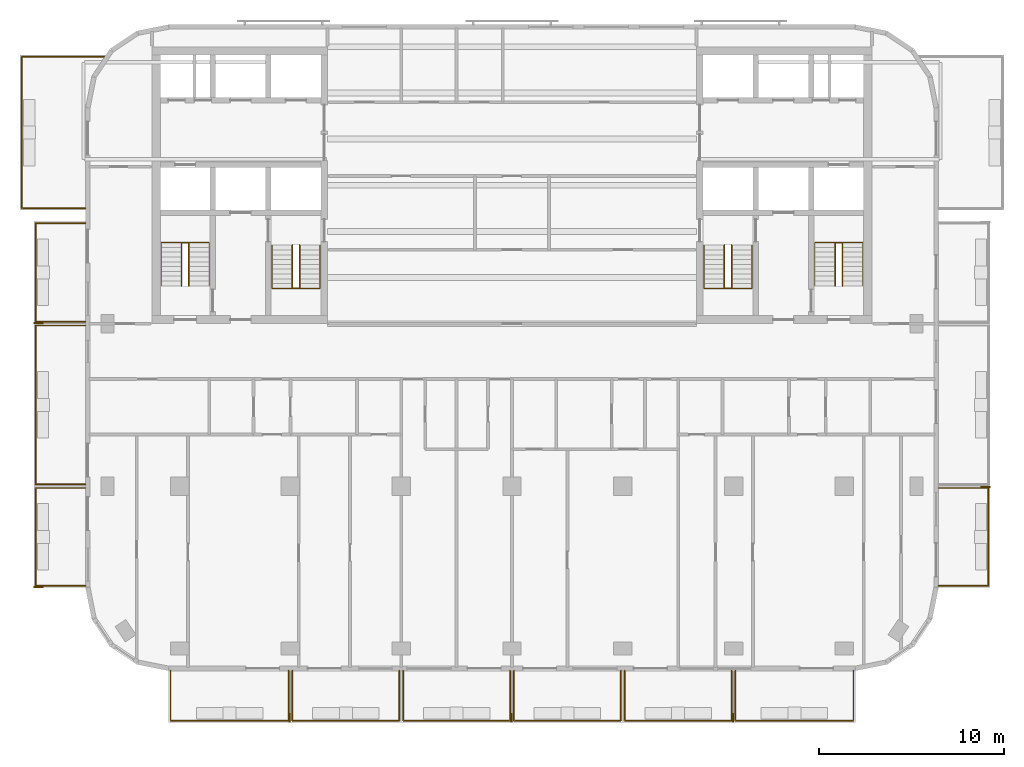
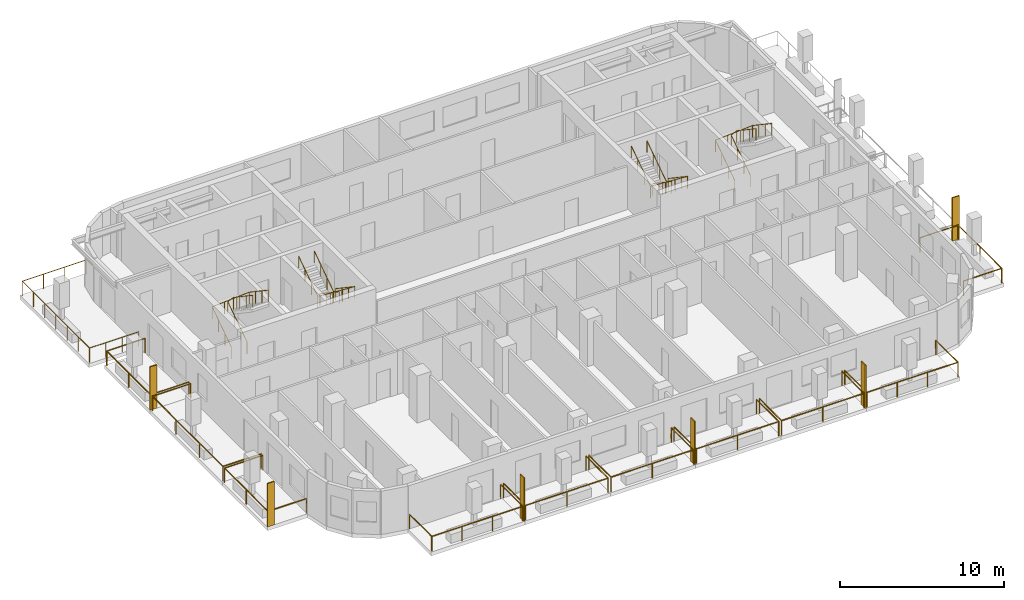
# One storey, part 9 of 11: 19 railings, 6 shading devices.
"""IFC4 building model written with IfcOpenShell, lengths in metres."""

from ifc_helpers import new_model, si_unit, direction, frame, origin, origin_2d, place, context, subcontext, project, spatial, rectangle, circle, extrude, material, layer, layer_set, type_object, element, save


model = new_model("IFC4")

# Units and contexts
model_context = context("Model", 3, precision=1e-05, world=origin(), true_north=direction((0.0, 1.0)))
body_context = subcontext(model_context, "Body", "Model", "MODEL_VIEW")
ifc_project = project(units=[si_unit("LENGTHUNIT", "METRE"), si_unit("AREAUNIT", "SQUARE_METRE"), si_unit("VOLUMEUNIT", "CUBIC_METRE"), si_unit("PLANEANGLEUNIT", "RADIAN"), si_unit("MASSUNIT", "GRAM", prefix="KILO")], contexts=[model_context])

# Site, building, storey
site_placement = place(None, origin())
site = spatial("IfcSite", under=ifc_project, at=site_placement, CompositionType="ELEMENT")
building_placement = place(site_placement, origin())
building = spatial("IfcBuilding", under=site, at=building_placement, Name="Torana Hotel and Residences", CompositionType="ELEMENT")
storey_placement = place(building_placement, frame((0.0, 0.0, 294.60009765625)))
storey = spatial("IfcBuildingStorey", under=building, at=storey_placement, Name="L78", CompositionType="ELEMENT", Elevation=294.60009765625)

# Shading devices
ifc_material_1 = material(Name="Black powder coated aluminium", Category="aluminium")
ifc_layer = layer(ifc_material_1, 0.080078125)
ifc_layer_set = layer_set([ifc_layer], Name="FN1 VERTICAL FIN 500x80")
shading_device_type = type_object("IfcShadingDeviceType", Name="FN1 VERTICAL FIN 500x80", PredefinedType="USERDEFINED", material=ifc_layer_set)
for number, where, z_axis, x_axis, name in (
    (1, (-12.0400390625, -36.35009765625, 0.0), (0.0, 0.0, 1.0), (-1.0, 0.0, 0.0), "Fin 01"),
    (2, (-0.0400390625, -36.35009765625, 0.0), (0.0, 0.0, 1.0), (-1.0, 0.0, 0.0), "Fin 03"),
    (3, (11.9599609375, -36.35009765625, 0.0), (0.0, 0.0, 1.0), (-1.0, 0.0, 0.0), "Fin 05"),
    (4, (-25.64990234375, -29.260009765625, 0.0), (0.0, 0.0, 1.0), (0.0, 1.0, 0.0), "Fin 07"),
    (5, (-25.64990234375, -14.9599609375, 0.0), (0.0, 0.0, 1.0), (0.0, 1.0, 0.0), "Fin 09"),
    (6, (25.64990234375, -23.840087890625, 0.0), (0.0, 0.0, 1.0), (0.0, -1.0, 0.0), "Fin 11"),
):
    element("IfcShadingDevice", number, at=place(storey_placement, frame(where, z_axis=z_axis, x_axis=x_axis)), inside=storey, type_object=shading_device_type, Name=name, ObjectType="FIN", PredefinedType="USERDEFINED", context=body_context, shape_type="SweptSolid", body=[
        extrude(rectangle(XDim=0.080078125, YDim=0.5, at=origin_2d()), origin(), (0.0, 0.0, 1.0), 3.219970703125),
    ])

# Railings
ifc_material_2 = material(Name="Laminated glass balustrade with black handrail", Category="glass")
railing_type_1 = type_object("IfcRailingType", Name="GR1 BALCONY GUARD 1100 GLASS", PredefinedType="GUARDRAIL", material=ifc_material_2)
railing_1_placement = place(storey_placement, frame((-12.10009765625, -33.800048828125, 0.0)))
element("IfcRailing", 7, at=railing_1_placement, inside=storey, type_object=railing_type_1, Name="Balcony guard 01", PredefinedType="GUARDRAIL", context=body_context, shape_type="SweptSolid", body=[
    extrude(circle(Radius=0.02392578125, at=origin_2d()), frame((0.0, 0.0, 1.076171875), z_axis=(0.0, -1.0, 0.0), x_axis=(1.0, 0.0, 0.0)), (0.0, 0.0, 1.0), 2.699951171875),
    extrude(circle(Radius=0.02392578125, at=origin_2d()), frame((0.0, -2.699951171875, 1.076171875), z_axis=(-1.0, 0.0, 0.0), x_axis=(0.0, -1.0, 0.0)), (0.0, 0.0, 1.0), 6.39990234375),
    extrude(circle(Radius=0.02392578125, at=origin_2d()), frame((-6.39990234375, -2.699951171875, 1.076171875), z_axis=(0.0, 1.0, 0.0), x_axis=(-1.0, 0.0, 0.0)), (0.0, 0.0, 1.0), 2.699951171875),
    extrude(circle(Radius=0.02099609375, at=origin_2d()), origin(), (0.0, 0.0, 1.0), 1.052001953125),
    extrude(circle(Radius=0.02099609375, at=origin_2d()), frame((0.0, -2.699951171875, 0.0)), (0.0, 0.0, 1.0), 1.052001953125),
    extrude(circle(Radius=0.02099609375, at=origin_2d()), frame((-2.13330078125, -2.699951171875, 0.0)), (0.0, 0.0, 1.0), 1.052001953125),
    extrude(circle(Radius=0.02099609375, at=origin_2d()), frame((-4.2666015625, -2.699951171875, 0.0)), (0.0, 0.0, 1.0), 1.052001953125),
    extrude(circle(Radius=0.02099609375, at=origin_2d()), frame((-6.39990234375, -2.699951171875, 0.0)), (0.0, 0.0, 1.0), 1.052001953125),
    extrude(circle(Radius=0.02099609375, at=origin_2d()), frame((-6.39990234375, 0.0, 0.0)), (0.0, 0.0, 1.0), 1.052001953125),
])
for number, where, name in (
    (8, (-6.10009765625, -33.800048828125, 0.0), "Balcony guard 02"),
    (9, (-0.10009765625, -33.800048828125, 0.0), "Balcony guard 03"),
    (10, (5.89990234375, -33.800048828125, 0.0), "Balcony guard 04"),
    (11, (11.89990234375, -33.800048828125, 0.0), "Balcony guard 05"),
):
    element("IfcRailing", number, at=place(storey_placement, frame(where)), inside=storey, type_object=railing_type_1, Name=name, PredefinedType="GUARDRAIL", context=body_context, shape_type="SweptSolid", body=[
        extrude(circle(Radius=0.02392578125, at=origin_2d()), frame((0.0, 0.0, 1.076171875), z_axis=(0.0, -1.0, 0.0), x_axis=(1.0, 0.0, 0.0)), (0.0, 0.0, 1.0), 2.699951171875),
        extrude(circle(Radius=0.02392578125, at=origin_2d()), frame((0.0, -2.699951171875, 1.076171875), z_axis=(-1.0, 0.0, 0.0), x_axis=(0.0, -1.0, 0.0)), (0.0, 0.0, 1.0), 5.7998046875),
        extrude(circle(Radius=0.02392578125, at=origin_2d()), frame((-5.7998046875, -2.699951171875, 1.076171875), z_axis=(0.0, 1.0, 0.0), x_axis=(-1.0, 0.0, 0.0)), (0.0, 0.0, 1.0), 2.699951171875),
        extrude(circle(Radius=0.02099609375, at=origin_2d()), origin(), (0.0, 0.0, 1.0), 1.052001953125),
        extrude(circle(Radius=0.02099609375, at=origin_2d()), frame((0.0, -2.699951171875, 0.0)), (0.0, 0.0, 1.0), 1.052001953125),
        extrude(circle(Radius=0.02099609375, at=origin_2d()), frame((-2.89990234375, -2.699951171875, 0.0)), (0.0, 0.0, 1.0), 1.052001953125),
        extrude(circle(Radius=0.02099609375, at=origin_2d()), frame((-5.7998046875, -2.699951171875, 0.0)), (0.0, 0.0, 1.0), 1.052001953125),
        extrude(circle(Radius=0.02099609375, at=origin_2d()), frame((-5.7998046875, 0.0, 0.0)), (0.0, 0.0, 1.0), 1.052001953125),
    ])
railing_2_placement = place(storey_placement, frame((18.5, -33.800048828125, 0.0)))
element("IfcRailing", 12, at=railing_2_placement, inside=storey, type_object=railing_type_1, Name="Balcony guard 06", PredefinedType="GUARDRAIL", context=body_context, shape_type="SweptSolid", body=[
    extrude(circle(Radius=0.02392578125, at=origin_2d()), frame((0.0, 0.0, 1.076171875), z_axis=(0.0, -1.0, 0.0), x_axis=(1.0, 0.0, 0.0)), (0.0, 0.0, 1.0), 2.699951171875),
    extrude(circle(Radius=0.02392578125, at=origin_2d()), frame((0.0, -2.699951171875, 1.076171875), z_axis=(-1.0, 0.0, 0.0), x_axis=(0.0, -1.0, 0.0)), (0.0, 0.0, 1.0), 6.39990234375),
    extrude(circle(Radius=0.02392578125, at=origin_2d()), frame((-6.39990234375, -2.699951171875, 1.076171875), z_axis=(0.0, 1.0, 0.0), x_axis=(-1.0, 0.0, 0.0)), (0.0, 0.0, 1.0), 2.699951171875),
    extrude(circle(Radius=0.02099609375, at=origin_2d()), origin(), (0.0, 0.0, 1.0), 1.052001953125),
    extrude(circle(Radius=0.02099609375, at=origin_2d()), frame((0.0, -2.699951171875, 0.0)), (0.0, 0.0, 1.0), 1.052001953125),
    extrude(circle(Radius=0.02099609375, at=origin_2d()), frame((-2.13330078125, -2.699951171875, 0.0)), (0.0, 0.0, 1.0), 1.052001953125),
    extrude(circle(Radius=0.02099609375, at=origin_2d()), frame((-4.2666015625, -2.699951171875, 0.0)), (0.0, 0.0, 1.0), 1.052001953125),
    extrude(circle(Radius=0.02099609375, at=origin_2d()), frame((-6.39990234375, -2.699951171875, 0.0)), (0.0, 0.0, 1.0), 1.052001953125),
    extrude(circle(Radius=0.02099609375, at=origin_2d()), frame((-6.39990234375, 0.0, 0.0)), (0.0, 0.0, 1.0), 1.052001953125),
])
railing_3_placement = place(storey_placement, frame((-23.10009765625, -29.199951171875, 0.0)))
element("IfcRailing", 13, at=railing_3_placement, inside=storey, type_object=railing_type_1, Name="Balcony guard 07", PredefinedType="GUARDRAIL", context=body_context, shape_type="SweptSolid", body=[
    extrude(circle(Radius=0.02392578125, at=origin_2d()), frame((0.0, 0.0, 1.076171875), z_axis=(-1.0, 0.0, 0.0), x_axis=(0.0, -1.0, 0.0)), (0.0, 0.0, 1.0), 2.699951171875),
    extrude(circle(Radius=0.02392578125, at=origin_2d()), frame((-2.699951171875, 0.0, 1.076171875), z_axis=(0.0, 1.0, 0.0), x_axis=(-1.0, 0.0, 0.0)), (0.0, 0.0, 1.0), 5.300048828125),
    extrude(circle(Radius=0.02392578125, at=origin_2d()), frame((-2.699951171875, 5.300048828125, 1.076171875), z_axis=(1.0, 0.0, 0.0), x_axis=(0.0, 1.0, 0.0)), (0.0, 0.0, 1.0), 2.699951171875),
    extrude(circle(Radius=0.02099609375, at=origin_2d()), origin(), (0.0, 0.0, 1.0), 1.052001953125),
    extrude(circle(Radius=0.02099609375, at=origin_2d()), frame((-2.699951171875, 0.0, 0.0)), (0.0, 0.0, 1.0), 1.052001953125),
    extrude(circle(Radius=0.02099609375, at=origin_2d()), frame((-2.699951171875, 2.64990234375, 0.0)), (0.0, 0.0, 1.0), 1.052001953125),
    extrude(circle(Radius=0.02099609375, at=origin_2d()), frame((-2.699951171875, 5.300048828125, 0.0)), (0.0, 0.0, 1.0), 1.052001953125),
    extrude(circle(Radius=0.02099609375, at=origin_2d()), frame((0.0, 5.300048828125, 0.0)), (0.0, 0.0, 1.0), 1.052001953125),
])
railing_4_placement = place(storey_placement, frame((-23.10009765625, -23.699951171875, 0.0)))
element("IfcRailing", 14, at=railing_4_placement, inside=storey, type_object=railing_type_1, Name="Balcony guard 08", PredefinedType="GUARDRAIL", context=body_context, shape_type="SweptSolid", body=[
    extrude(circle(Radius=0.02392578125, at=origin_2d()), frame((0.0, 0.0, 1.076171875), z_axis=(-1.0, 0.0, 0.0), x_axis=(0.0, -1.0, 0.0)), (0.0, 0.0, 1.0), 2.699951171875),
    extrude(circle(Radius=0.02392578125, at=origin_2d()), frame((-2.699951171875, 0.0, 1.076171875), z_axis=(0.0, 1.0, 0.0), x_axis=(-1.0, 0.0, 0.0)), (0.0, 0.0, 1.0), 8.599853515625),
    extrude(circle(Radius=0.02392578125, at=origin_2d()), frame((-2.699951171875, 8.599853515625, 1.076171875), z_axis=(1.0, 0.0, 0.0), x_axis=(0.0, 1.0, 0.0)), (0.0, 0.0, 1.0), 2.699951171875),
    extrude(circle(Radius=0.02099609375, at=origin_2d()), origin(), (0.0, 0.0, 1.0), 1.052001953125),
    extrude(circle(Radius=0.02099609375, at=origin_2d()), frame((-2.699951171875, 0.0, 0.0)), (0.0, 0.0, 1.0), 1.052001953125),
    extrude(circle(Radius=0.02099609375, at=origin_2d()), frame((-2.699951171875, 2.86669921875, 0.0)), (0.0, 0.0, 1.0), 1.052001953125),
    extrude(circle(Radius=0.02099609375, at=origin_2d()), frame((-2.699951171875, 5.733154296875, 0.0)), (0.0, 0.0, 1.0), 1.052001953125),
    extrude(circle(Radius=0.02099609375, at=origin_2d()), frame((-2.699951171875, 8.599853515625, 0.0)), (0.0, 0.0, 1.0), 1.052001953125),
    extrude(circle(Radius=0.02099609375, at=origin_2d()), frame((0.0, 8.599853515625, 0.0)), (0.0, 0.0, 1.0), 1.052001953125),
])
railing_5_placement = place(storey_placement, frame((-23.10009765625, -14.89990234375, 0.0)))
element("IfcRailing", 15, at=railing_5_placement, inside=storey, type_object=railing_type_1, Name="Balcony guard 09", PredefinedType="GUARDRAIL", context=body_context, shape_type="SweptSolid", body=[
    extrude(circle(Radius=0.02392578125, at=origin_2d()), frame((0.0, 0.0, 1.076171875), z_axis=(-1.0, 0.0, 0.0), x_axis=(0.0, -1.0, 0.0)), (0.0, 0.0, 1.0), 2.699951171875),
    extrude(circle(Radius=0.02392578125, at=origin_2d()), frame((-2.699951171875, 0.0, 1.076171875), z_axis=(0.0, 1.0, 0.0), x_axis=(-1.0, 0.0, 0.0)), (0.0, 0.0, 1.0), 5.349853515625),
    extrude(circle(Radius=0.02392578125, at=origin_2d()), frame((-2.699951171875, 5.349853515625, 1.076171875), z_axis=(1.0, 0.0, 0.0), x_axis=(0.0, 1.0, 0.0)), (0.0, 0.0, 1.0), 2.699951171875),
    extrude(circle(Radius=0.02099609375, at=origin_2d()), origin(), (0.0, 0.0, 1.0), 1.052001953125),
    extrude(circle(Radius=0.02099609375, at=origin_2d()), frame((-2.699951171875, 0.0, 0.0)), (0.0, 0.0, 1.0), 1.052001953125),
    extrude(circle(Radius=0.02099609375, at=origin_2d()), frame((-2.699951171875, 2.6748046875, 0.0)), (0.0, 0.0, 1.0), 1.052001953125),
    extrude(circle(Radius=0.02099609375, at=origin_2d()), frame((-2.699951171875, 5.349853515625, 0.0)), (0.0, 0.0, 1.0), 1.052001953125),
    extrude(circle(Radius=0.02099609375, at=origin_2d()), frame((0.0, 5.349853515625, 0.0)), (0.0, 0.0, 1.0), 1.052001953125),
])
railing_6_placement = place(storey_placement, frame((-23.10009765625, -8.75, 0.0)))
element("IfcRailing", 16, at=railing_6_placement, inside=storey, type_object=railing_type_1, Name="Balcony guard 10", PredefinedType="GUARDRAIL", context=body_context, shape_type="SweptSolid", body=[
    extrude(circle(Radius=0.02392578125, at=origin_2d()), frame((0.0, 0.0, 1.076171875), z_axis=(-1.0, 0.0, 0.0), x_axis=(0.0, -1.0, 0.0)), (0.0, 0.0, 1.0), 3.449951171875),
    extrude(circle(Radius=0.02392578125, at=origin_2d()), frame((-3.449951171875, 0.0, 1.076171875), z_axis=(0.0, 1.0, 0.0), x_axis=(-1.0, 0.0, 0.0)), (0.0, 0.0, 1.0), 8.199951171875),
    extrude(circle(Radius=0.02392578125, at=origin_2d()), frame((-3.449951171875, 8.199951171875, 1.076171875), z_axis=(1.0, 0.0, 0.0), x_axis=(0.0, 1.0, 0.0)), (0.0, 0.0, 1.0), 4.479248046875),
    extrude(circle(Radius=0.02099609375, at=origin_2d()), origin(), (0.0, 0.0, 1.0), 1.052001953125),
    extrude(circle(Radius=0.02099609375, at=origin_2d()), frame((-1.14990234375, 0.0, 0.0)), (0.0, 0.0, 1.0), 1.052001953125),
    extrude(circle(Radius=0.02099609375, at=origin_2d()), frame((-2.300048828125, 0.0, 0.0)), (0.0, 0.0, 1.0), 1.052001953125),
    extrude(circle(Radius=0.02099609375, at=origin_2d()), frame((-3.449951171875, 0.0, 0.0)), (0.0, 0.0, 1.0), 1.052001953125),
    extrude(circle(Radius=0.02099609375, at=origin_2d()), frame((-3.449951171875, 1.36669921875, 0.0)), (0.0, 0.0, 1.0), 1.052001953125),
    extrude(circle(Radius=0.02099609375, at=origin_2d()), frame((-3.449951171875, 2.7333984375, 0.0)), (0.0, 0.0, 1.0), 1.052001953125),
    extrude(circle(Radius=0.02099609375, at=origin_2d()), frame((-3.449951171875, 4.10009765625, 0.0)), (0.0, 0.0, 1.0), 1.052001953125),
    extrude(circle(Radius=0.02099609375, at=origin_2d()), frame((-3.449951171875, 5.466552734375, 0.0)), (0.0, 0.0, 1.0), 1.052001953125),
    extrude(circle(Radius=0.02099609375, at=origin_2d()), frame((-3.449951171875, 6.833251953125, 0.0)), (0.0, 0.0, 1.0), 1.052001953125),
    extrude(circle(Radius=0.02099609375, at=origin_2d()), frame((-3.449951171875, 8.199951171875, 0.0)), (0.0, 0.0, 1.0), 1.052001953125),
    extrude(circle(Radius=0.02099609375, at=origin_2d()), frame((-1.956787109375, 8.199951171875, 0.0)), (0.0, 0.0, 1.0), 1.052001953125),
    extrude(circle(Radius=0.02099609375, at=origin_2d()), frame((-0.4638671875, 8.199951171875, 0.0)), (0.0, 0.0, 1.0), 1.052001953125),
    extrude(circle(Radius=0.02099609375, at=origin_2d()), frame((1.029296875, 8.199951171875, 0.0)), (0.0, 0.0, 1.0), 1.052001953125),
])
railing_7_placement = place(storey_placement, frame((23.10009765625, -23.89990234375, 0.0)))
element("IfcRailing", 17, at=railing_7_placement, inside=storey, type_object=railing_type_1, Name="Balcony guard 11", PredefinedType="GUARDRAIL", context=body_context, shape_type="SweptSolid", body=[
    extrude(circle(Radius=0.02392578125, at=origin_2d()), frame((0.0, 0.0, 1.076171875), z_axis=(1.0, 0.0, 0.0), x_axis=(0.0, 1.0, 0.0)), (0.0, 0.0, 1.0), 2.699951171875),
    extrude(circle(Radius=0.02392578125, at=origin_2d()), frame((2.699951171875, 0.0, 1.076171875), z_axis=(0.0, -1.0, 0.0), x_axis=(1.0, 0.0, 0.0)), (0.0, 0.0, 1.0), 5.300048828125),
    extrude(circle(Radius=0.02392578125, at=origin_2d()), frame((2.699951171875, -5.300048828125, 1.076171875), z_axis=(-1.0, 0.0, 0.0), x_axis=(0.0, -1.0, 0.0)), (0.0, 0.0, 1.0), 2.699951171875),
    extrude(circle(Radius=0.02099609375, at=origin_2d()), origin(), (0.0, 0.0, 1.0), 1.052001953125),
    extrude(circle(Radius=0.02099609375, at=origin_2d()), frame((2.699951171875, 0.0, 0.0)), (0.0, 0.0, 1.0), 1.052001953125),
    extrude(circle(Radius=0.02099609375, at=origin_2d()), frame((2.699951171875, -2.64990234375, 0.0)), (0.0, 0.0, 1.0), 1.052001953125),
    extrude(circle(Radius=0.02099609375, at=origin_2d()), frame((2.699951171875, -5.300048828125, 0.0)), (0.0, 0.0, 1.0), 1.052001953125),
    extrude(circle(Radius=0.02099609375, at=origin_2d()), frame((0.0, -5.300048828125, 0.0)), (0.0, 0.0, 1.0), 1.052001953125),
])
ifc_material_3 = material(Name="Stainless steel 316", Category="steel")
railing_type_2 = type_object("IfcRailingType", Name="STAIR HANDRAIL HR1 900", PredefinedType="HANDRAIL", material=ifc_material_3)
railing_8_placement = place(storey_placement, frame((-10.39990234375, -10.75, 0.1748046875)))
element("IfcRailing", 18, at=railing_8_placement, inside=storey, type_object=railing_type_2, Name="Handrail ST1 L78 O1", PredefinedType="HANDRAIL", context=body_context, shape_type="SweptSolid", body=[
    extrude(circle(Radius=0.02392578125, at=origin_2d()), frame((0.0, 0.0, 0.8759765625), z_axis=(0.0, -0.829565388462, 0.558409586474), x_axis=(1.0, 0.0, 0.0)), (0.0, 0.0, 1.0), 2.82080078125),
    extrude(circle(Radius=0.02392578125, at=origin_2d()), frame((0.0, -2.340087890625, 2.451171875), z_axis=(-0.997747692642, 0.0, 0.067078624219), x_axis=(0.0, -1.0, 0.0)), (0.0, 0.0, 1.0), 2.60595703125),
    extrude(circle(Radius=0.02392578125, at=origin_2d()), frame((-2.60009765625, -2.340087890625, 2.6259765625), z_axis=(0.0, 0.829565388462, 0.558409586474), x_axis=(-1.0, 0.0, 0.0)), (0.0, 0.0, 1.0), 2.82080078125),
    extrude(circle(Radius=0.02099609375, at=origin_2d()), origin(), (0.0, 0.0, 1.0), 0.851806640625),
    extrude(circle(Radius=0.02099609375, at=origin_2d()), frame((0.0, -0.780029296875, 0.525146484375)), (0.0, 0.0, 1.0), 0.851806640625),
    extrude(circle(Radius=0.02099609375, at=origin_2d()), frame((0.0, -1.56005859375, 1.050048828125)), (0.0, 0.0, 1.0), 0.851806640625),
    extrude(circle(Radius=0.02099609375, at=origin_2d()), frame((0.0, -2.340087890625, 1.5751953125)), (0.0, 0.0, 1.0), 0.851806640625),
    extrude(circle(Radius=0.02099609375, at=origin_2d()), frame((-0.86669921875, -2.340087890625, 1.633544921875)), (0.0, 0.0, 1.0), 0.851806640625),
    extrude(circle(Radius=0.02099609375, at=origin_2d()), frame((-1.7333984375, -2.340087890625, 1.691650390625)), (0.0, 0.0, 1.0), 0.851806640625),
    extrude(circle(Radius=0.02099609375, at=origin_2d()), frame((-2.60009765625, -2.340087890625, 1.75)), (0.0, 0.0, 1.0), 0.851806640625),
    extrude(circle(Radius=0.02099609375, at=origin_2d()), frame((-2.60009765625, -1.56005859375, 2.275146484375)), (0.0, 0.0, 1.0), 0.851806640625),
    extrude(circle(Radius=0.02099609375, at=origin_2d()), frame((-2.60009765625, -0.780029296875, 2.800048828125)), (0.0, 0.0, 1.0), 0.851806640625),
    extrude(circle(Radius=0.02099609375, at=origin_2d()), frame((-2.60009765625, 0.0, 3.3251953125)), (0.0, 0.0, 1.0), 0.851806640625),
])
railing_9_placement = place(storey_placement, frame((-11.5, -10.75, 0.1748046875)))
element("IfcRailing", 19, at=railing_9_placement, inside=storey, type_object=railing_type_2, Name="Handrail ST1 L78 I1", PredefinedType="HANDRAIL", context=body_context, shape_type="SweptSolid", body=[
    extrude(circle(Radius=0.02392578125, at=origin_2d()), frame((0.0, 0.0, 0.8759765625), z_axis=(0.0, -0.829565388462, 0.558409586474), x_axis=(1.0, 0.0, 0.0)), (0.0, 0.0, 1.0), 2.82080078125),
    extrude(circle(Radius=0.02392578125, at=origin_2d()), frame((0.0, -2.340087890625, 2.451171875), z_axis=(-0.916285673175, 0.0, 0.400525361412), x_axis=(0.0, -1.0, 0.0)), (0.0, 0.0, 1.0), 0.4365234375),
    extrude(circle(Radius=0.02392578125, at=origin_2d()), frame((-0.39990234375, -2.340087890625, 2.6259765625), z_axis=(0.0, 0.829565388462, 0.558409586474), x_axis=(-1.0, 0.0, 0.0)), (0.0, 0.0, 1.0), 2.82080078125),
    extrude(circle(Radius=0.02099609375, at=origin_2d()), origin(), (0.0, 0.0, 1.0), 0.851806640625),
    extrude(circle(Radius=0.02099609375, at=origin_2d()), frame((0.0, -0.780029296875, 0.525146484375)), (0.0, 0.0, 1.0), 0.851806640625),
    extrude(circle(Radius=0.02099609375, at=origin_2d()), frame((0.0, -1.56005859375, 1.050048828125)), (0.0, 0.0, 1.0), 0.851806640625),
    extrude(circle(Radius=0.02099609375, at=origin_2d()), frame((0.0, -2.340087890625, 1.5751953125)), (0.0, 0.0, 1.0), 0.851806640625),
    extrude(circle(Radius=0.02099609375, at=origin_2d()), frame((-0.39990234375, -2.340087890625, 1.75)), (0.0, 0.0, 1.0), 0.851806640625),
    extrude(circle(Radius=0.02099609375, at=origin_2d()), frame((-0.39990234375, -1.56005859375, 2.275146484375)), (0.0, 0.0, 1.0), 0.851806640625),
    extrude(circle(Radius=0.02099609375, at=origin_2d()), frame((-0.39990234375, -0.780029296875, 2.800048828125)), (0.0, 0.0, 1.0), 0.851806640625),
    extrude(circle(Radius=0.02099609375, at=origin_2d()), frame((-0.39990234375, 0.0, 3.3251953125)), (0.0, 0.0, 1.0), 0.851806640625),
])
railing_10_placement = place(storey_placement, frame((-19.0, -12.949951171875, 0.1748046875)))
element("IfcRailing", 20, at=railing_10_placement, inside=storey, type_object=railing_type_2, Name="Handrail ST2 L78 O1", PredefinedType="HANDRAIL", context=body_context, shape_type="SweptSolid", body=[
    extrude(circle(Radius=0.02392578125, at=origin_2d()), frame((0.0, 0.0, 0.8759765625), z_axis=(0.0, 0.829538397957, 0.558449681095), x_axis=(-1.0, 0.0, 0.0)), (0.0, 0.0, 1.0), 2.820556640625),
    extrude(circle(Radius=0.02392578125, at=origin_2d()), frame((0.0, 2.33984375, 2.451171875), z_axis=(0.997747692642, 0.0, 0.067078624219), x_axis=(0.0, 1.0, 0.0)), (0.0, 0.0, 1.0), 2.60595703125),
    extrude(circle(Radius=0.02392578125, at=origin_2d()), frame((2.60009765625, 2.33984375, 2.6259765625), z_axis=(0.0, -0.829538397957, 0.558449681095), x_axis=(1.0, 0.0, 0.0)), (0.0, 0.0, 1.0), 2.820556640625),
    extrude(circle(Radius=0.02099609375, at=origin_2d()), origin(), (0.0, 0.0, 1.0), 0.851806640625),
    extrude(circle(Radius=0.02099609375, at=origin_2d()), frame((0.0, 0.780029296875, 0.525146484375)), (0.0, 0.0, 1.0), 0.851806640625),
    extrude(circle(Radius=0.02099609375, at=origin_2d()), frame((0.0, 1.559814453125, 1.050048828125)), (0.0, 0.0, 1.0), 0.851806640625),
    extrude(circle(Radius=0.02099609375, at=origin_2d()), frame((0.0, 2.33984375, 1.5751953125)), (0.0, 0.0, 1.0), 0.851806640625),
    extrude(circle(Radius=0.02099609375, at=origin_2d()), frame((0.86669921875, 2.33984375, 1.633544921875)), (0.0, 0.0, 1.0), 0.851806640625),
    extrude(circle(Radius=0.02099609375, at=origin_2d()), frame((1.7333984375, 2.33984375, 1.691650390625)), (0.0, 0.0, 1.0), 0.851806640625),
    extrude(circle(Radius=0.02099609375, at=origin_2d()), frame((2.60009765625, 2.33984375, 1.75)), (0.0, 0.0, 1.0), 0.851806640625),
    extrude(circle(Radius=0.02099609375, at=origin_2d()), frame((2.60009765625, 1.559814453125, 2.275146484375)), (0.0, 0.0, 1.0), 0.851806640625),
    extrude(circle(Radius=0.02099609375, at=origin_2d()), frame((2.60009765625, 0.780029296875, 2.800048828125)), (0.0, 0.0, 1.0), 0.851806640625),
    extrude(circle(Radius=0.02099609375, at=origin_2d()), frame((2.60009765625, 0.0, 3.3251953125)), (0.0, 0.0, 1.0), 0.851806640625),
])
railing_11_placement = place(storey_placement, frame((-17.89990234375, -12.949951171875, 0.1748046875)))
element("IfcRailing", 21, at=railing_11_placement, inside=storey, type_object=railing_type_2, Name="Handrail ST2 L78 I1", PredefinedType="HANDRAIL", context=body_context, shape_type="SweptSolid", body=[
    extrude(circle(Radius=0.02392578125, at=origin_2d()), frame((0.0, 0.0, 0.8759765625), z_axis=(0.0, 0.829538397957, 0.558449681095), x_axis=(-1.0, 0.0, 0.0)), (0.0, 0.0, 1.0), 2.820556640625),
    extrude(circle(Radius=0.02392578125, at=origin_2d()), frame((0.0, 2.33984375, 2.451171875), z_axis=(0.916285673175, 0.0, 0.400525361412), x_axis=(0.0, 1.0, 0.0)), (0.0, 0.0, 1.0), 0.4365234375),
    extrude(circle(Radius=0.02392578125, at=origin_2d()), frame((0.39990234375, 2.33984375, 2.6259765625), z_axis=(0.0, -0.829538397957, 0.558449681095), x_axis=(1.0, 0.0, 0.0)), (0.0, 0.0, 1.0), 2.820556640625),
    extrude(circle(Radius=0.02099609375, at=origin_2d()), origin(), (0.0, 0.0, 1.0), 0.851806640625),
    extrude(circle(Radius=0.02099609375, at=origin_2d()), frame((0.0, 0.780029296875, 0.525146484375)), (0.0, 0.0, 1.0), 0.851806640625),
    extrude(circle(Radius=0.02099609375, at=origin_2d()), frame((0.0, 1.559814453125, 1.050048828125)), (0.0, 0.0, 1.0), 0.851806640625),
    extrude(circle(Radius=0.02099609375, at=origin_2d()), frame((0.0, 2.33984375, 1.5751953125)), (0.0, 0.0, 1.0), 0.851806640625),
    extrude(circle(Radius=0.02099609375, at=origin_2d()), frame((0.39990234375, 2.33984375, 1.75)), (0.0, 0.0, 1.0), 0.851806640625),
    extrude(circle(Radius=0.02099609375, at=origin_2d()), frame((0.39990234375, 1.559814453125, 2.275146484375)), (0.0, 0.0, 1.0), 0.851806640625),
    extrude(circle(Radius=0.02099609375, at=origin_2d()), frame((0.39990234375, 0.780029296875, 2.800048828125)), (0.0, 0.0, 1.0), 0.851806640625),
    extrude(circle(Radius=0.02099609375, at=origin_2d()), frame((0.39990234375, 0.0, 3.3251953125)), (0.0, 0.0, 1.0), 0.851806640625),
])
railing_12_placement = place(storey_placement, frame((13.0, -10.75, 0.1748046875)))
element("IfcRailing", 22, at=railing_12_placement, inside=storey, type_object=railing_type_2, Name="Handrail ST3 L78 O1", PredefinedType="HANDRAIL", context=body_context, shape_type="SweptSolid", body=[
    extrude(circle(Radius=0.02392578125, at=origin_2d()), frame((0.0, 0.0, 0.8759765625), z_axis=(0.0, -0.829565388462, 0.558409586474), x_axis=(1.0, 0.0, 0.0)), (0.0, 0.0, 1.0), 2.82080078125),
    extrude(circle(Radius=0.02392578125, at=origin_2d()), frame((0.0, -2.340087890625, 2.451171875), z_axis=(-0.997747692642, 0.0, 0.067078624219), x_axis=(0.0, -1.0, 0.0)), (0.0, 0.0, 1.0), 2.60595703125),
    extrude(circle(Radius=0.02392578125, at=origin_2d()), frame((-2.60009765625, -2.340087890625, 2.6259765625), z_axis=(0.0, 0.829565388462, 0.558409586474), x_axis=(-1.0, 0.0, 0.0)), (0.0, 0.0, 1.0), 2.82080078125),
    extrude(circle(Radius=0.02099609375, at=origin_2d()), origin(), (0.0, 0.0, 1.0), 0.851806640625),
    extrude(circle(Radius=0.02099609375, at=origin_2d()), frame((0.0, -0.780029296875, 0.525146484375)), (0.0, 0.0, 1.0), 0.851806640625),
    extrude(circle(Radius=0.02099609375, at=origin_2d()), frame((0.0, -1.56005859375, 1.050048828125)), (0.0, 0.0, 1.0), 0.851806640625),
    extrude(circle(Radius=0.02099609375, at=origin_2d()), frame((0.0, -2.340087890625, 1.5751953125)), (0.0, 0.0, 1.0), 0.851806640625),
    extrude(circle(Radius=0.02099609375, at=origin_2d()), frame((-0.86669921875, -2.340087890625, 1.633544921875)), (0.0, 0.0, 1.0), 0.851806640625),
    extrude(circle(Radius=0.02099609375, at=origin_2d()), frame((-1.7333984375, -2.340087890625, 1.691650390625)), (0.0, 0.0, 1.0), 0.851806640625),
    extrude(circle(Radius=0.02099609375, at=origin_2d()), frame((-2.60009765625, -2.340087890625, 1.75)), (0.0, 0.0, 1.0), 0.851806640625),
    extrude(circle(Radius=0.02099609375, at=origin_2d()), frame((-2.60009765625, -1.56005859375, 2.275146484375)), (0.0, 0.0, 1.0), 0.851806640625),
    extrude(circle(Radius=0.02099609375, at=origin_2d()), frame((-2.60009765625, -0.780029296875, 2.800048828125)), (0.0, 0.0, 1.0), 0.851806640625),
    extrude(circle(Radius=0.02099609375, at=origin_2d()), frame((-2.60009765625, 0.0, 3.3251953125)), (0.0, 0.0, 1.0), 0.851806640625),
])
railing_13_placement = place(storey_placement, frame((11.89990234375, -10.75, 0.1748046875)))
element("IfcRailing", 23, at=railing_13_placement, inside=storey, type_object=railing_type_2, Name="Handrail ST3 L78 I1", PredefinedType="HANDRAIL", context=body_context, shape_type="SweptSolid", body=[
    extrude(circle(Radius=0.02392578125, at=origin_2d()), frame((0.0, 0.0, 0.8759765625), z_axis=(0.0, -0.829565388462, 0.558409586474), x_axis=(1.0, 0.0, 0.0)), (0.0, 0.0, 1.0), 2.82080078125),
    extrude(circle(Radius=0.02392578125, at=origin_2d()), frame((0.0, -2.340087890625, 2.451171875), z_axis=(-0.916285673175, 0.0, 0.400525361412), x_axis=(0.0, -1.0, 0.0)), (0.0, 0.0, 1.0), 0.4365234375),
    extrude(circle(Radius=0.02392578125, at=origin_2d()), frame((-0.39990234375, -2.340087890625, 2.6259765625), z_axis=(0.0, 0.829565388462, 0.558409586474), x_axis=(-1.0, 0.0, 0.0)), (0.0, 0.0, 1.0), 2.82080078125),
    extrude(circle(Radius=0.02099609375, at=origin_2d()), origin(), (0.0, 0.0, 1.0), 0.851806640625),
    extrude(circle(Radius=0.02099609375, at=origin_2d()), frame((0.0, -0.780029296875, 0.525146484375)), (0.0, 0.0, 1.0), 0.851806640625),
    extrude(circle(Radius=0.02099609375, at=origin_2d()), frame((0.0, -1.56005859375, 1.050048828125)), (0.0, 0.0, 1.0), 0.851806640625),
    extrude(circle(Radius=0.02099609375, at=origin_2d()), frame((0.0, -2.340087890625, 1.5751953125)), (0.0, 0.0, 1.0), 0.851806640625),
    extrude(circle(Radius=0.02099609375, at=origin_2d()), frame((-0.39990234375, -2.340087890625, 1.75)), (0.0, 0.0, 1.0), 0.851806640625),
    extrude(circle(Radius=0.02099609375, at=origin_2d()), frame((-0.39990234375, -1.56005859375, 2.275146484375)), (0.0, 0.0, 1.0), 0.851806640625),
    extrude(circle(Radius=0.02099609375, at=origin_2d()), frame((-0.39990234375, -0.780029296875, 2.800048828125)), (0.0, 0.0, 1.0), 0.851806640625),
    extrude(circle(Radius=0.02099609375, at=origin_2d()), frame((-0.39990234375, 0.0, 3.3251953125)), (0.0, 0.0, 1.0), 0.851806640625),
])
railing_14_placement = place(storey_placement, frame((16.39990234375, -12.949951171875, 0.1748046875)))
element("IfcRailing", 24, at=railing_14_placement, inside=storey, type_object=railing_type_2, Name="Handrail ST4 L78 O1", PredefinedType="HANDRAIL", context=body_context, shape_type="SweptSolid", body=[
    extrude(circle(Radius=0.02392578125, at=origin_2d()), frame((0.0, 0.0, 0.8759765625), z_axis=(0.0, 0.829538397957, 0.558449681095), x_axis=(-1.0, 0.0, 0.0)), (0.0, 0.0, 1.0), 2.820556640625),
    extrude(circle(Radius=0.02392578125, at=origin_2d()), frame((0.0, 2.33984375, 2.451171875), z_axis=(0.997747692642, 0.0, 0.067078624219), x_axis=(0.0, 1.0, 0.0)), (0.0, 0.0, 1.0), 2.60595703125),
    extrude(circle(Radius=0.02392578125, at=origin_2d()), frame((2.60009765625, 2.33984375, 2.6259765625), z_axis=(0.0, -0.829538397957, 0.558449681095), x_axis=(1.0, 0.0, 0.0)), (0.0, 0.0, 1.0), 2.820556640625),
    extrude(circle(Radius=0.02099609375, at=origin_2d()), origin(), (0.0, 0.0, 1.0), 0.851806640625),
    extrude(circle(Radius=0.02099609375, at=origin_2d()), frame((0.0, 0.780029296875, 0.525146484375)), (0.0, 0.0, 1.0), 0.851806640625),
    extrude(circle(Radius=0.02099609375, at=origin_2d()), frame((0.0, 1.559814453125, 1.050048828125)), (0.0, 0.0, 1.0), 0.851806640625),
    extrude(circle(Radius=0.02099609375, at=origin_2d()), frame((0.0, 2.33984375, 1.5751953125)), (0.0, 0.0, 1.0), 0.851806640625),
    extrude(circle(Radius=0.02099609375, at=origin_2d()), frame((0.86669921875, 2.33984375, 1.633544921875)), (0.0, 0.0, 1.0), 0.851806640625),
    extrude(circle(Radius=0.02099609375, at=origin_2d()), frame((1.7333984375, 2.33984375, 1.691650390625)), (0.0, 0.0, 1.0), 0.851806640625),
    extrude(circle(Radius=0.02099609375, at=origin_2d()), frame((2.60009765625, 2.33984375, 1.75)), (0.0, 0.0, 1.0), 0.851806640625),
    extrude(circle(Radius=0.02099609375, at=origin_2d()), frame((2.60009765625, 1.559814453125, 2.275146484375)), (0.0, 0.0, 1.0), 0.851806640625),
    extrude(circle(Radius=0.02099609375, at=origin_2d()), frame((2.60009765625, 0.780029296875, 2.800048828125)), (0.0, 0.0, 1.0), 0.851806640625),
    extrude(circle(Radius=0.02099609375, at=origin_2d()), frame((2.60009765625, 0.0, 3.3251953125)), (0.0, 0.0, 1.0), 0.851806640625),
])
railing_15_placement = place(storey_placement, frame((17.5, -12.949951171875, 0.1748046875)))
element("IfcRailing", 25, at=railing_15_placement, inside=storey, type_object=railing_type_2, Name="Handrail ST4 L78 I1", PredefinedType="HANDRAIL", context=body_context, shape_type="SweptSolid", body=[
    extrude(circle(Radius=0.02392578125, at=origin_2d()), frame((0.0, 0.0, 0.8759765625), z_axis=(0.0, 0.829538397957, 0.558449681095), x_axis=(-1.0, 0.0, 0.0)), (0.0, 0.0, 1.0), 2.820556640625),
    extrude(circle(Radius=0.02392578125, at=origin_2d()), frame((0.0, 2.33984375, 2.451171875), z_axis=(0.916285673175, 0.0, 0.400525361412), x_axis=(0.0, 1.0, 0.0)), (0.0, 0.0, 1.0), 0.4365234375),
    extrude(circle(Radius=0.02392578125, at=origin_2d()), frame((0.39990234375, 2.33984375, 2.6259765625), z_axis=(0.0, -0.829538397957, 0.558449681095), x_axis=(1.0, 0.0, 0.0)), (0.0, 0.0, 1.0), 2.820556640625),
    extrude(circle(Radius=0.02099609375, at=origin_2d()), origin(), (0.0, 0.0, 1.0), 0.851806640625),
    extrude(circle(Radius=0.02099609375, at=origin_2d()), frame((0.0, 0.780029296875, 0.525146484375)), (0.0, 0.0, 1.0), 0.851806640625),
    extrude(circle(Radius=0.02099609375, at=origin_2d()), frame((0.0, 1.559814453125, 1.050048828125)), (0.0, 0.0, 1.0), 0.851806640625),
    extrude(circle(Radius=0.02099609375, at=origin_2d()), frame((0.0, 2.33984375, 1.5751953125)), (0.0, 0.0, 1.0), 0.851806640625),
    extrude(circle(Radius=0.02099609375, at=origin_2d()), frame((0.39990234375, 2.33984375, 1.75)), (0.0, 0.0, 1.0), 0.851806640625),
    extrude(circle(Radius=0.02099609375, at=origin_2d()), frame((0.39990234375, 1.559814453125, 2.275146484375)), (0.0, 0.0, 1.0), 0.851806640625),
    extrude(circle(Radius=0.02099609375, at=origin_2d()), frame((0.39990234375, 0.780029296875, 2.800048828125)), (0.0, 0.0, 1.0), 0.851806640625),
    extrude(circle(Radius=0.02099609375, at=origin_2d()), frame((0.39990234375, 0.0, 3.3251953125)), (0.0, 0.0, 1.0), 0.851806640625),
])

save(model, "model.ifc")
